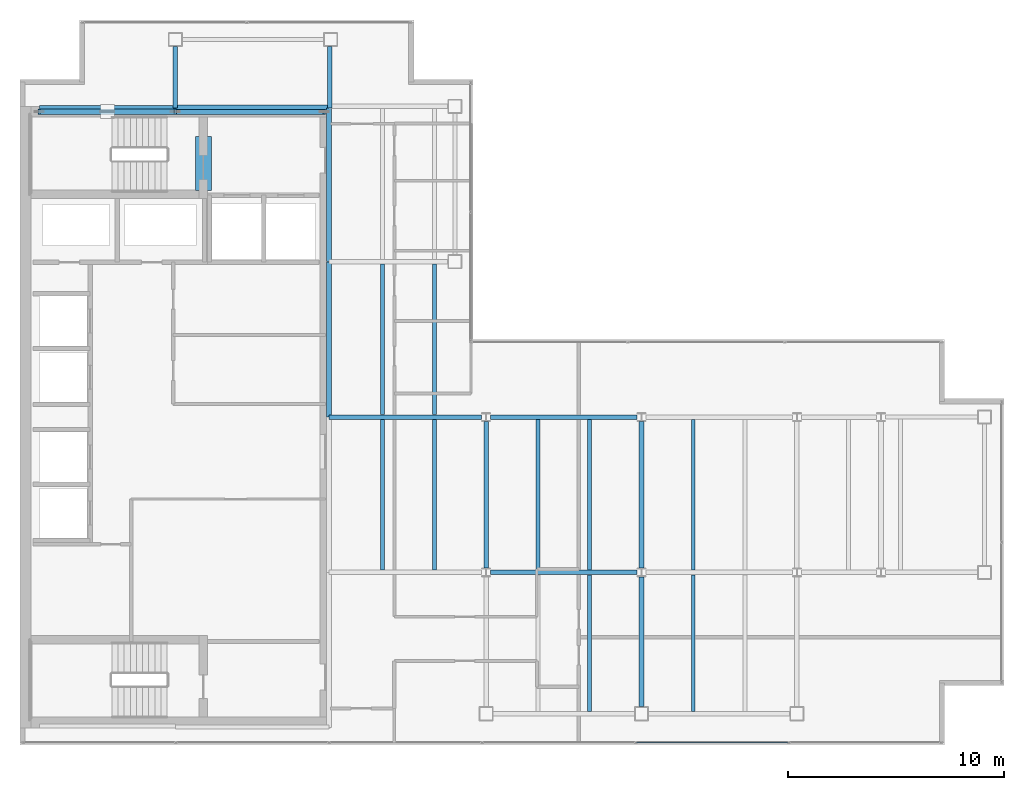
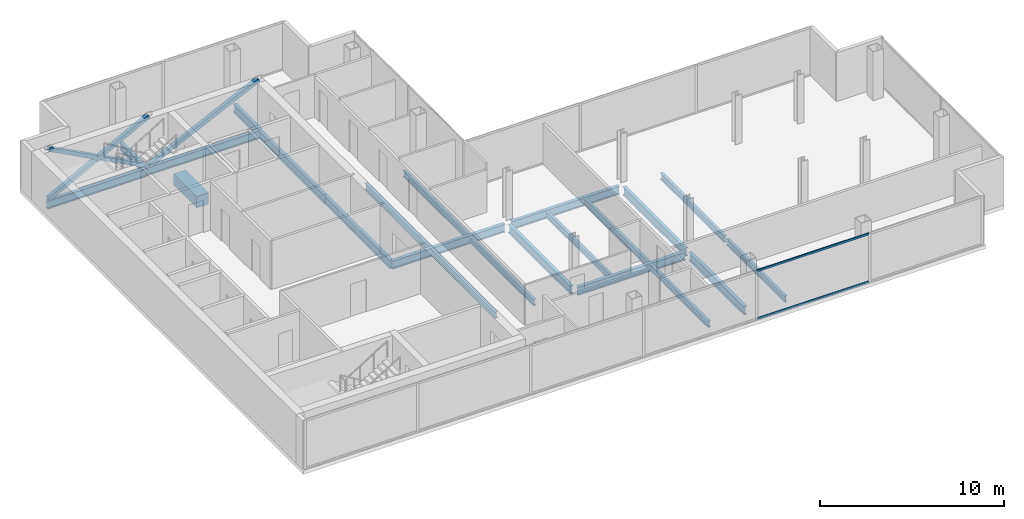
# One storey, part 7 of 24: 22 beams, 6 members, 1 element without a shape of its own.
"""IFC4 building model written with IfcOpenShell, lengths in metres."""

from ifc_helpers import new_model, si_unit, direction, frame, origin, origin_2d, place, context, subcontext, project, spatial, rectangle, hollow_rectangle, i_section, extrude, material, material_profile, profile_set, type_object, element, aggregate, save


model = new_model("IFC4")

# Units and contexts
model_context = context("Model", 3, precision=1e-05, world=origin(), true_north=direction((0.0, 1.0)))
body_context = subcontext(model_context, "Body", "Model", "MODEL_VIEW")
ifc_project = project(units=[si_unit("LENGTHUNIT", "METRE"), si_unit("AREAUNIT", "SQUARE_METRE"), si_unit("VOLUMEUNIT", "CUBIC_METRE"), si_unit("PLANEANGLEUNIT", "RADIAN"), si_unit("MASSUNIT", "GRAM", prefix="KILO")], contexts=[model_context])

# Site, building, storey
site_placement = place(None, origin())
site = spatial("IfcSite", under=ifc_project, at=site_placement, CompositionType="ELEMENT")
building_placement = place(site_placement, origin())
building = spatial("IfcBuilding", under=site, at=building_placement, Name="Cobrela Telecom Tower", CompositionType="ELEMENT")
storey_placement = place(building_placement, frame((0.0, 0.0, 244.64990234375)))
storey = spatial("IfcBuildingStorey", under=building, at=storey_placement, Name="L63", CompositionType="ELEMENT", Elevation=244.64990234375)

# Beams
ifc_material_1 = material(Name="Concrete C40/50", Category="concrete")
ifc_material_profile_1 = material_profile(ifc_material_1, rectangle(XDim=0.75, YDim=0.75, at=origin_2d()), Name="RC 750x750")
ifc_profile_set_1 = profile_set([ifc_material_profile_1], Name="Concrete C40/50")
beam_type_1 = type_object("IfcBeamType", Name="BM-COUP-RC", PredefinedType="LINTEL", material=ifc_profile_set_1)
beam_1_placement = place(storey_placement, frame((8.5, 32.10009765625, -0.60986328125), z_axis=(0.0, 1.0, 0.0), x_axis=(-1.0, 0.0, 0.0)))
element("IfcBeam", 1, at=beam_1_placement, inside=storey, type_object=beam_type_1, Name="L63 Core Coupling Lintel Beam", PredefinedType="LINTEL", context=body_context, shape_type="SweptSolid", body=[
    extrude(rectangle(XDim=0.75, YDim=0.75, at=origin_2d()), origin(), (0.0, 0.0, 1.0), 2.5),
])
ifc_material_2 = material(Name="Steel ASTM A992 Grade 50", Category="steel")
ifc_material_profile_2 = material_profile(ifc_material_2, i_section(OverallWidth=0.212890625, OverallDepth=0.549072265625, WebThickness=0.0146484375, FlangeThickness=0.023681640625, FilletRadius=0.013916015625, at=origin_2d()), Name="W21X93")
ifc_profile_set_2 = profile_set([ifc_material_profile_2], Name="Steel ASTM A992 Grade 50")
beam_type_2 = type_object("IfcBeamType", Name="BM-GIRD-08", PredefinedType="USERDEFINED", material=ifc_profile_set_2)
beam_2_placement = place(storey_placement, frame((21.804443359375, 14.39990234375, -0.534423828125), z_axis=(1.0, 0.0, 0.0), x_axis=(0.0, 1.0, 0.0)))
element("IfcBeam", 2, at=beam_2_placement, inside=storey, type_object=beam_type_2, Name="L63 Primary Girder X06", ObjectType="GIRDER", PredefinedType="USERDEFINED", context=body_context, shape_type="SweptSolid", body=[
    extrude(i_section(OverallWidth=0.212890625, OverallDepth=0.549072265625, WebThickness=0.0146484375, FlangeThickness=0.023681640625, FilletRadius=0.013916015625, at=origin_2d()), origin(), (0.0, 0.0, 1.0), 6.791015625),
])
beam_3_placement = place(storey_placement, frame((14.324951171875, 21.60009765625, -0.534423828125), z_axis=(1.0, 0.0, 0.0), x_axis=(0.0, 1.0, 0.0)))
element("IfcBeam", 3, at=beam_3_placement, inside=storey, type_object=beam_type_2, Name="L63 Primary Girder X10", ObjectType="GIRDER", PredefinedType="USERDEFINED", context=body_context, shape_type="SweptSolid", body=[
    extrude(i_section(OverallWidth=0.212890625, OverallDepth=0.549072265625, WebThickness=0.0146484375, FlangeThickness=0.023681640625, FilletRadius=0.013916015625, at=origin_2d()), origin(), (0.0, 0.0, 1.0), 7.070556640625),
])
beam_4_placement = place(storey_placement, frame((21.804443359375, 21.60009765625, -0.534423828125), z_axis=(1.0, 0.0, 0.0), x_axis=(0.0, 1.0, 0.0)))
element("IfcBeam", 4, at=beam_4_placement, inside=storey, type_object=beam_type_2, Name="L63 Primary Girder X11", ObjectType="GIRDER", PredefinedType="USERDEFINED", context=body_context, shape_type="SweptSolid", body=[
    extrude(i_section(OverallWidth=0.212890625, OverallDepth=0.549072265625, WebThickness=0.0146484375, FlangeThickness=0.023681640625, FilletRadius=0.013916015625, at=origin_2d()), origin(), (0.0, 0.0, 1.0), 6.791015625),
])
beam_5_placement = place(storey_placement, frame((0.905029296875, 35.919921875, -0.534423828125), z_axis=(1.0, 0.0, 0.0), x_axis=(0.0, 1.0, 0.0)))
element("IfcBeam", 5, at=beam_5_placement, inside=storey, type_object=beam_type_2, Name="L63 Primary Girder X16", ObjectType="GIRDER", PredefinedType="USERDEFINED", context=body_context, shape_type="SweptSolid", body=[
    extrude(i_section(OverallWidth=0.212890625, OverallDepth=0.549072265625, WebThickness=0.0146484375, FlangeThickness=0.023681640625, FilletRadius=0.013916015625, at=origin_2d()), origin(), (0.0, 0.0, 1.0), 6.2900390625),
])
beam_6_placement = place(storey_placement, frame((7.205078125, 35.9599609375, -0.534423828125), z_axis=(1.0, 0.0, 0.0), x_axis=(0.0, 1.0, 0.0)))
element("IfcBeam", 6, at=beam_6_placement, inside=storey, type_object=beam_type_2, Name="L63 Primary Girder X17", ObjectType="GIRDER", PredefinedType="USERDEFINED", context=body_context, shape_type="SweptSolid", body=[
    extrude(i_section(OverallWidth=0.212890625, OverallDepth=0.549072265625, WebThickness=0.0146484375, FlangeThickness=0.023681640625, FilletRadius=0.013916015625, at=origin_2d()), origin(), (0.0, 0.0, 1.0), 7.10986328125),
])
beam_7_placement = place(storey_placement, frame((7.199951171875, 35.925048828125, -0.534423828125), z_axis=(0.0, 1.0, 0.0), x_axis=(-1.0, 0.0, 0.0)))
element("IfcBeam", 7, at=beam_7_placement, inside=storey, type_object=beam_type_2, Name="L63 Primary Girder Y20", ObjectType="GIRDER", PredefinedType="USERDEFINED", context=body_context, shape_type="SweptSolid", body=[
    extrude(i_section(OverallWidth=0.212890625, OverallDepth=0.549072265625, WebThickness=0.0146484375, FlangeThickness=0.023681640625, FilletRadius=0.013916015625, at=origin_2d()), origin(), (0.0, 0.0, 1.0), 2.844970703125),
])
beam_8_placement = place(storey_placement, frame((14.320068359375, 21.60498046875, -0.534423828125), z_axis=(0.0, 1.0, 0.0), x_axis=(-1.0, 0.0, 0.0)))
element("IfcBeam", 8, at=beam_8_placement, inside=storey, type_object=beam_type_2, Name="L63 Primary Girder Y23", ObjectType="GIRDER", PredefinedType="USERDEFINED", context=body_context, shape_type="SweptSolid", body=[
    extrude(i_section(OverallWidth=0.212890625, OverallDepth=0.549072265625, WebThickness=0.0146484375, FlangeThickness=0.023681640625, FilletRadius=0.013916015625, at=origin_2d()), origin(), (0.0, 0.0, 1.0), 7.18994140625),
])
beam_9_placement = place(storey_placement, frame((14.320068359375, 28.804931640625, -0.534423828125), z_axis=(0.0, 1.0, 0.0), x_axis=(-1.0, 0.0, 0.0)))
element("IfcBeam", 9, at=beam_9_placement, inside=storey, type_object=beam_type_2, Name="L63 Primary Girder Y24", ObjectType="GIRDER", PredefinedType="USERDEFINED", context=body_context, shape_type="SweptSolid", body=[
    extrude(i_section(OverallWidth=0.212890625, OverallDepth=0.549072265625, WebThickness=0.0146484375, FlangeThickness=0.023681640625, FilletRadius=0.013916015625, at=origin_2d()), origin(), (0.0, 0.0, 1.0), 7.110107421875),
])
beam_10_placement = place(storey_placement, frame((14.360107421875, 35.925048828125, -0.534423828125), z_axis=(0.0, 1.0, 0.0), x_axis=(-1.0, 0.0, 0.0)))
element("IfcBeam", 10, at=beam_10_placement, inside=storey, type_object=beam_type_2, Name="L63 Primary Girder Y25", ObjectType="GIRDER", PredefinedType="USERDEFINED", context=body_context, shape_type="SweptSolid", body=[
    extrude(i_section(OverallWidth=0.212890625, OverallDepth=0.549072265625, WebThickness=0.0146484375, FlangeThickness=0.023681640625, FilletRadius=0.013916015625, at=origin_2d()), origin(), (0.0, 0.0, 1.0), 2.844970703125),
])
beam_11_placement = place(storey_placement, frame((21.60009765625, 14.6044921875, -0.534423828125), z_axis=(0.0, 1.0, 0.0), x_axis=(-1.0, 0.0, 0.0)))
element("IfcBeam", 11, at=beam_11_placement, inside=storey, type_object=beam_type_2, Name="L63 Primary Girder Y28", ObjectType="GIRDER", PredefinedType="USERDEFINED", context=body_context, shape_type="SweptSolid", body=[
    extrude(i_section(OverallWidth=0.212890625, OverallDepth=0.549072265625, WebThickness=0.0146484375, FlangeThickness=0.023681640625, FilletRadius=0.013916015625, at=origin_2d()), origin(), (0.0, 0.0, 1.0), 6.791015625),
])
beam_12_placement = place(storey_placement, frame((28.800048828125, 8.179931640625, -0.534423828125), z_axis=(0.0, 1.0, 0.0), x_axis=(-1.0, 0.0, 0.0)))
element("IfcBeam", 12, at=beam_12_placement, inside=storey, type_object=beam_type_2, Name="L63 Primary Girder Y29", ObjectType="GIRDER", PredefinedType="USERDEFINED", context=body_context, shape_type="SweptSolid", body=[
    extrude(i_section(OverallWidth=0.212890625, OverallDepth=0.549072265625, WebThickness=0.0146484375, FlangeThickness=0.023681640625, FilletRadius=0.013916015625, at=origin_2d()), origin(), (0.0, 0.0, 1.0), 6.015625),
])
beam_13_placement = place(storey_placement, frame((28.800048828125, 14.6044921875, -0.534423828125), z_axis=(0.0, 1.0, 0.0), x_axis=(-1.0, 0.0, 0.0)))
element("IfcBeam", 13, at=beam_13_placement, inside=storey, type_object=beam_type_2, Name="L63 Primary Girder Y30", ObjectType="GIRDER", PredefinedType="USERDEFINED", context=body_context, shape_type="SweptSolid", body=[
    extrude(i_section(OverallWidth=0.212890625, OverallDepth=0.549072265625, WebThickness=0.0146484375, FlangeThickness=0.023681640625, FilletRadius=0.013916015625, at=origin_2d()), origin(), (0.0, 0.0, 1.0), 6.791015625),
])
ifc_material_profile_3 = material_profile(ifc_material_2, i_section(OverallWidth=0.179931640625, OverallDepth=0.4169921875, WebThickness=0.010986328125, FlangeThickness=0.01806640625, FilletRadius=0.011962890625, at=origin_2d()), Name="W16X57")
ifc_profile_set_3 = profile_set([ifc_material_profile_3], Name="Steel ASTM A992 Grade 50")
beam_type_3 = type_object("IfcBeamType", Name="BM-JOIST-04", PredefinedType="JOIST", material=ifc_profile_set_3)
for number, where, z_axis, x_axis, name in (
    (14, (16.800048828125, 14.511474609375, -0.468505859375), (0.0, 1.0, 0.0), (-1.0, 0.0, 0.0), "L63 Secondary Composite Floor Beam J01"),
    (15, (16.800048828125, 21.71142578125, -0.468505859375), (0.0, 1.0, 0.0), (-1.0, 0.0, 0.0), "L63 Secondary Composite Floor Beam J02"),
    (16, (19.199951171875, 14.511474609375, -0.468505859375), (0.0, 1.0, 0.0), (-1.0, 0.0, 0.0), "L63 Secondary Composite Floor Beam J04"),
    (17, (19.199951171875, 21.71142578125, -0.468505859375), (0.0, 1.0, 0.0), (-1.0, 0.0, 0.0), "L63 Secondary Composite Floor Beam J05"),
    (18, (24.0, 14.511474609375, -0.468505859375), (0.0, 1.0, 0.0), (-1.0, 0.0, 0.0), "L63 Secondary Composite Floor Beam J08"),
):
    element("IfcBeam", number, at=place(storey_placement, frame(where, z_axis=z_axis, x_axis=x_axis)), inside=storey, type_object=beam_type_3, Name=name, PredefinedType="JOIST", context=body_context, shape_type="SweptSolid", body=[
        extrude(i_section(OverallWidth=0.179931640625, OverallDepth=0.4169921875, WebThickness=0.010986328125, FlangeThickness=0.01806640625, FilletRadius=0.011962890625, at=origin_2d()), origin(), (0.0, 0.0, 1.0), 6.97705078125),
    ])
beam_14_placement = place(storey_placement, frame((26.39990234375, 7.96142578125, -0.468505859375), z_axis=(0.0, 1.0, 0.0), x_axis=(-1.0, 0.0, 0.0)))
element("IfcBeam", 19, at=beam_14_placement, inside=storey, type_object=beam_type_3, Name="L63 Secondary Composite Floor Beam J09", PredefinedType="JOIST", context=body_context, shape_type="SweptSolid", body=[
    extrude(i_section(OverallWidth=0.179931640625, OverallDepth=0.4169921875, WebThickness=0.010986328125, FlangeThickness=0.01806640625, FilletRadius=0.011962890625, at=origin_2d()), origin(), (0.0, 0.0, 1.0), 6.3271484375),
])
beam_15_placement = place(storey_placement, frame((26.39990234375, 14.511474609375, -0.468505859375), z_axis=(0.0, 1.0, 0.0), x_axis=(-1.0, 0.0, 0.0)))
element("IfcBeam", 20, at=beam_15_placement, inside=storey, type_object=beam_type_3, Name="L63 Secondary Composite Floor Beam J10", PredefinedType="JOIST", context=body_context, shape_type="SweptSolid", body=[
    extrude(i_section(OverallWidth=0.179931640625, OverallDepth=0.4169921875, WebThickness=0.010986328125, FlangeThickness=0.01806640625, FilletRadius=0.011962890625, at=origin_2d()), origin(), (0.0, 0.0, 1.0), 6.97705078125),
])
beam_16_placement = place(storey_placement, frame((31.199951171875, 7.96142578125, -0.468505859375), z_axis=(0.0, 1.0, 0.0), x_axis=(-1.0, 0.0, 0.0)))
element("IfcBeam", 21, at=beam_16_placement, inside=storey, type_object=beam_type_3, Name="L63 Secondary Composite Floor Beam J11", PredefinedType="JOIST", context=body_context, shape_type="SweptSolid", body=[
    extrude(i_section(OverallWidth=0.179931640625, OverallDepth=0.4169921875, WebThickness=0.010986328125, FlangeThickness=0.01806640625, FilletRadius=0.011962890625, at=origin_2d()), origin(), (0.0, 0.0, 1.0), 6.3271484375),
])
beam_17_placement = place(storey_placement, frame((31.199951171875, 14.511474609375, -0.468505859375), z_axis=(0.0, 1.0, 0.0), x_axis=(-1.0, 0.0, 0.0)))
element("IfcBeam", 22, at=beam_17_placement, inside=storey, type_object=beam_type_3, Name="L63 Secondary Composite Floor Beam J12", PredefinedType="JOIST", context=body_context, shape_type="SweptSolid", body=[
    extrude(i_section(OverallWidth=0.179931640625, OverallDepth=0.4169921875, WebThickness=0.010986328125, FlangeThickness=0.01806640625, FilletRadius=0.011962890625, at=origin_2d()), origin(), (0.0, 0.0, 1.0), 6.97705078125),
])

# Curtain wall, members
ifc_material_3 = material(Name="Anodized Bronze Aluminium 6063-T6", Category="aluminium")
curtain_wall_type = type_object("IfcCurtainWallType", Name="CW-SYS-OFF-HI", PredefinedType="USERDEFINED", material=ifc_material_3)
curtain_wall_placement = place(storey_placement, origin())
curtain_wall = element("IfcCurtainWall", 23, at=curtain_wall_placement, inside=storey, type_object=curtain_wall_type, Name="L63 Unitised Bronze Curtain Wall 15", ObjectType="UNITISED CURTAIN WALL", PredefinedType="USERDEFINED")
ifc_material_profile_4 = material_profile(ifc_material_3, hollow_rectangle(XDim=0.06494140625, YDim=0.1298828125, WallThickness=0.00390625, at=origin_2d()), Name="ALU 65x130x4")
ifc_profile_set_4 = profile_set([ifc_material_profile_4], Name="Anodized Bronze Aluminium 6063-T6")
member_type_1 = type_object("IfcMemberType", Name="CW-SYS-OFF-HI-TRN", PredefinedType="USERDEFINED", material=ifc_profile_set_4)
member_1_placement = place(storey_placement, frame((35.59326171875, 6.52001953125, 0.03271484375), z_axis=(-1.0, 0.0, 0.0), x_axis=(0.0, -1.0, 0.0)))
member_1 = element("IfcMember", 24, at=member_1_placement, type_object=member_type_1, Name="CW-OFF-HI transom 2.1", ObjectType="TRANSOM", PredefinedType="USERDEFINED", context=body_context, shape_type="SweptSolid", body=[
    extrude(hollow_rectangle(XDim=0.06494140625, YDim=0.1298828125, WallThickness=0.00390625, at=origin_2d()), origin(), (0.0, 0.0, 1.0), 7.031494140625),
])
member_2_placement = place(storey_placement, frame((35.59326171875, 6.52001953125, 3.20751953125), z_axis=(-1.0, 0.0, 0.0), x_axis=(0.0, -1.0, 0.0)))
member_2 = element("IfcMember", 25, at=member_2_placement, type_object=member_type_1, Name="CW-OFF-HI transom 2.2", ObjectType="TRANSOM", PredefinedType="USERDEFINED", context=body_context, shape_type="SweptSolid", body=[
    extrude(hollow_rectangle(XDim=0.06494140625, YDim=0.1298828125, WallThickness=0.00390625, at=origin_2d()), origin(), (0.0, 0.0, 1.0), 7.031494140625),
])
aggregate(curtain_wall, [member_1, member_2])

# Members
ifc_material_4 = material(Name="Steel ASTM A572 Grade 50", Category="steel")
ifc_material_profile_5 = material_profile(ifc_material_4, hollow_rectangle(XDim=0.25, YDim=0.25, WallThickness=0.013916015625, at=origin_2d()), Name="HSS 250x250x14")
ifc_profile_set_5 = profile_set([ifc_material_profile_5], Name="Steel ASTM A572 Grade 50")
member_type_2 = type_object("IfcMemberType", Name="MBR-EXO-04", PredefinedType="BRACE", material=ifc_profile_set_5)
member_3_placement = place(storey_placement, frame((0.89990234375, 35.75, -0.039794921875), z_axis=(0.884686085315, 0.0, 0.466187226821), x_axis=(0.0, 1.0, 0.0)))
element("IfcMember", 26, at=member_3_placement, inside=storey, type_object=member_type_2, Name="L63 Core Flange Steel X-Brace Continuous A", PredefinedType="BRACE", context=body_context, shape_type="SweptSolid", body=[
    extrude(hollow_rectangle(XDim=0.25, YDim=0.25, WallThickness=0.013916015625, at=origin_2d()), origin(), (0.0, 0.0, 1.0), 7.121337890625),
])
member_4_placement = place(storey_placement, frame((7.199951171875, 35.75, -0.039794921875), z_axis=(-0.884702916743, 0.0, 0.466155284328), x_axis=(0.0, -1.0, 0.0)))
element("IfcMember", 27, at=member_4_placement, inside=storey, type_object=member_type_2, Name="L63 Core Flange Steel X-Brace Split B1", PredefinedType="BRACE", context=body_context, shape_type="SweptSolid", body=[
    extrude(hollow_rectangle(XDim=0.25, YDim=0.25, WallThickness=0.013916015625, at=origin_2d()), origin(), (0.0, 0.0, 1.0), 3.42041015625),
])
member_5_placement = place(storey_placement, frame((3.926025390625, 35.75, 1.685302734375), z_axis=(-0.884673479945, 0.0, 0.466211147317), x_axis=(0.0, -1.0, 0.0)))
element("IfcMember", 28, at=member_5_placement, inside=storey, type_object=member_type_2, Name="L63 Core Flange Steel X-Brace Split B2", PredefinedType="BRACE", context=body_context, shape_type="SweptSolid", body=[
    extrude(hollow_rectangle(XDim=0.25, YDim=0.25, WallThickness=0.013916015625, at=origin_2d()), origin(), (0.0, 0.0, 1.0), 3.420654296875),
])
member_6_placement = place(storey_placement, frame((7.199951171875, 35.75, -0.039794921875), z_axis=(0.901127639633, 0.0, 0.433553891793), x_axis=(0.0, 1.0, 0.0)))
element("IfcMember", 29, at=member_6_placement, inside=storey, type_object=member_type_2, Name="L63 Core Flange Steel Brace N2", PredefinedType="BRACE", context=body_context, shape_type="SweptSolid", body=[
    extrude(hollow_rectangle(XDim=0.25, YDim=0.25, WallThickness=0.013916015625, at=origin_2d()), origin(), (0.0, 0.0, 1.0), 7.6572265625),
])

save(model, "model.ifc")
